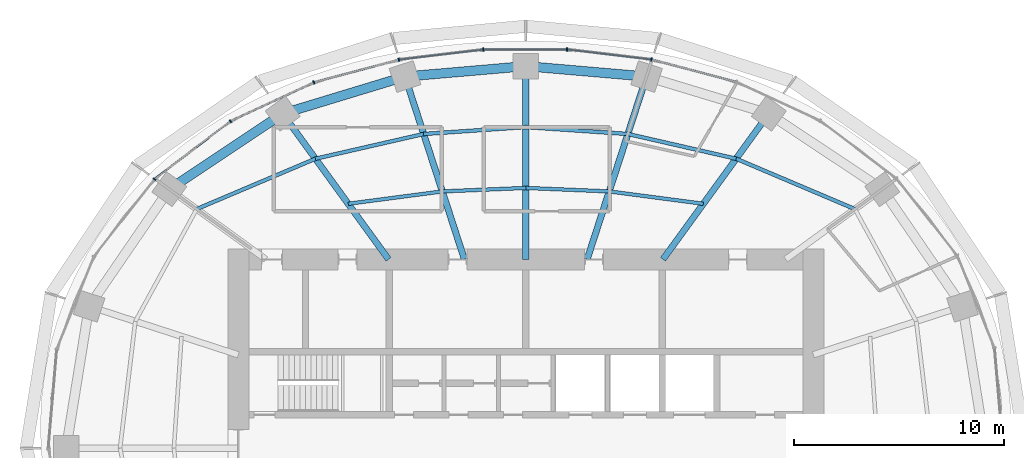
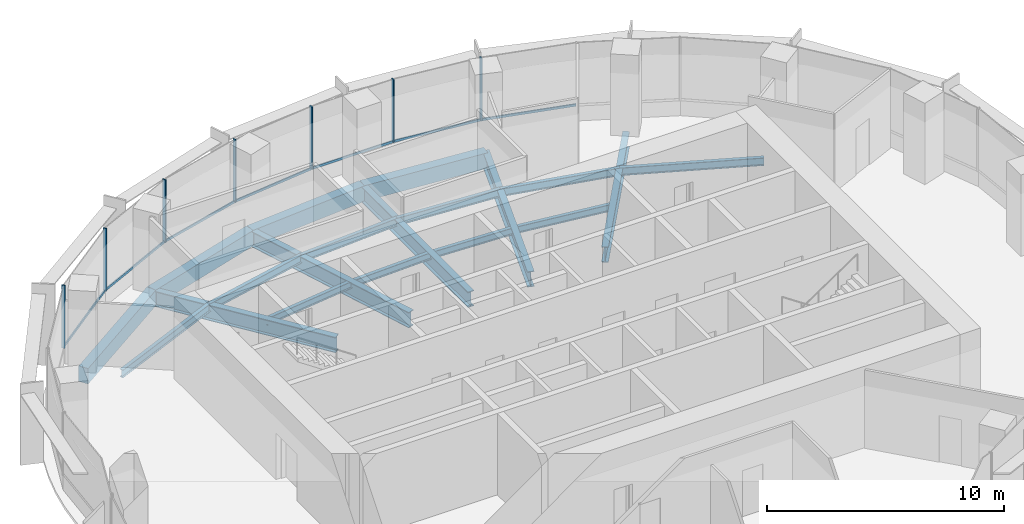
# One storey, part 6 of 13: 19 beams, 14 members, 2 elements without a shape of their own.
"""IFC4 building model written with IfcOpenShell, lengths in metres."""

from ifc_helpers import new_model, si_unit, direction, frame, origin, origin_2d, place, context, subcontext, project, spatial, rectangle, i_section, extrude, material, material_profile, profile_set, type_object, element, aggregate, save


model = new_model("IFC4")

# Units and contexts
model_context = context("Model", 3, precision=1e-05, world=origin(), true_north=direction((0.0, 1.0)))
body_context = subcontext(model_context, "Body", "Model", "MODEL_VIEW")
ifc_project = project(units=[si_unit("LENGTHUNIT", "METRE"), si_unit("AREAUNIT", "SQUARE_METRE"), si_unit("VOLUMEUNIT", "CUBIC_METRE"), si_unit("PLANEANGLEUNIT", "RADIAN"), si_unit("MASSUNIT", "GRAM", prefix="KILO")], contexts=[model_context])

# Site, building, storey
site_placement = place(None, origin())
site = spatial("IfcSite", under=ifc_project, at=site_placement, CompositionType="ELEMENT")
building_placement = place(site_placement, origin())
building = spatial("IfcBuilding", under=site, at=building_placement, Name="Marramba Exchange Tower", CompositionType="ELEMENT")
storey_placement = place(building_placement, frame((0.0, 0.0, 268.60009765625)))
storey = spatial("IfcBuildingStorey", under=building, at=storey_placement, Name="L65", CompositionType="ELEMENT", Elevation=268.60009765625)

# Curtain wall, members
ifc_material_1 = material(Name="Aluminium framing, bronze anodised", Category="aluminium")
curtain_wall_type = type_object("IfcCurtainWallType", Name="Executive floor ribbon curtain wall", PredefinedType="USERDEFINED", material=ifc_material_1)
curtain_wall_1_placement = place(storey_placement, origin())
curtain_wall_1 = element("IfcCurtainWall", 1, at=curtain_wall_1_placement, inside=storey, type_object=curtain_wall_type, Name="Curtain wall CW5 L65 F06-F10", ObjectType="RIBBON CURTAIN WALL", PredefinedType="USERDEFINED")
ifc_material_2 = material(Name="Aluminium mullion, bronze anodised", Category="aluminium")
ifc_material_profile_1 = material_profile(ifc_material_2, rectangle(XDim=0.159912109375, YDim=0.06005859375, at=origin_2d()), Name="CW5 mullion 60x160")
ifc_profile_set_1 = profile_set([ifc_material_profile_1], Name="Aluminium mullion, bronze anodised")
member_type_1 = type_object("IfcMemberType", Name="Executive floor ribbon curtain wall mullion", PredefinedType="MULLION", material=ifc_profile_set_1)
member_1_placement = place(storey_placement, frame((5.98681640625, 18.5205078125, 0.7998046875), z_axis=(0.0, 0.0, 1.0), x_axis=(-0.118556954505, -0.992947253654, 0.0)))
member_1 = element("IfcMember", 2, at=member_1_placement, type_object=member_type_1, Name="CW5 mullion 1", PredefinedType="MULLION", context=body_context, shape_type="SweptSolid", body=[
    extrude(rectangle(XDim=0.159912109375, YDim=0.06005859375, at=origin_2d()), origin(), (0.0, 0.0, 1.0), 3.239990234375),
])
member_2_placement = place(storey_placement, frame((1.966552734375, 18.9970703125, 0.7998046875), z_axis=(0.0, 0.0, 1.0), x_axis=(0.0, -1.0, 0.0)))
member_2 = element("IfcMember", 3, at=member_2_placement, type_object=member_type_1, Name="CW5 mullion 1", PredefinedType="MULLION", context=body_context, shape_type="SweptSolid", body=[
    extrude(rectangle(XDim=0.159912109375, YDim=0.06005859375, at=origin_2d()), origin(), (0.0, 0.0, 1.0), 3.239990234375),
])
member_3_placement = place(storey_placement, frame((-2.0263671875, 18.993408203125, 0.7998046875), z_axis=(0.0, 0.0, 1.0), x_axis=(0.118556954505, -0.992947253654, 0.0)))
member_3 = element("IfcMember", 4, at=member_3_placement, type_object=member_type_1, Name="CW5 mullion 1", PredefinedType="MULLION", context=body_context, shape_type="SweptSolid", body=[
    extrude(rectangle(XDim=0.159912109375, YDim=0.06005859375, at=origin_2d()), origin(), (0.0, 0.0, 1.0), 3.239990234375),
])
member_4_placement = place(storey_placement, frame((-6.045654296875, 18.50927734375, 0.7998046875), z_axis=(0.0, 0.0, 1.0), x_axis=(0.256125574813, -0.966643517501, 0.0)))
member_4 = element("IfcMember", 5, at=member_4_placement, type_object=member_type_1, Name="CW5 mullion 1", PredefinedType="MULLION", context=body_context, shape_type="SweptSolid", body=[
    extrude(rectangle(XDim=0.159912109375, YDim=0.06005859375, at=origin_2d()), origin(), (0.0, 0.0, 1.0), 3.239990234375),
])

curtain_wall_2_placement = place(storey_placement, origin())
curtain_wall_2 = element("IfcCurtainWall", 6, at=curtain_wall_2_placement, inside=storey, type_object=curtain_wall_type, Name="Curtain wall CW5 L65 F11-F15", ObjectType="RIBBON CURTAIN WALL", PredefinedType="USERDEFINED")
member_5_placement = place(storey_placement, frame((-10.097900390625, 17.43017578125, 0.7998046875), z_axis=(0.0, 0.0, 1.0), x_axis=(0.420849274712, -0.90713057934, 0.0)))
member_5 = element("IfcMember", 7, at=member_5_placement, type_object=member_type_1, Name="CW5 mullion 1", PredefinedType="MULLION", context=body_context, shape_type="SweptSolid", body=[
    extrude(rectangle(XDim=0.159912109375, YDim=0.06005859375, at=origin_2d()), origin(), (0.0, 0.0, 1.0), 3.239990234375),
])
member_6_placement = place(storey_placement, frame((-14.069091796875, 15.58056640625, 0.7998046875), z_axis=(0.0, 0.0, 1.0), x_axis=(0.605219156516, -0.796058900199, 0.0)))
member_6 = element("IfcMember", 8, at=member_6_placement, type_object=member_type_1, Name="CW5 mullion 1", PredefinedType="MULLION", context=body_context, shape_type="SweptSolid", body=[
    extrude(rectangle(XDim=0.159912109375, YDim=0.06005859375, at=origin_2d()), origin(), (0.0, 0.0, 1.0), 3.239990234375),
])
member_7_placement = place(storey_placement, frame((-17.69189453125, 12.81689453125, 0.7998046875), z_axis=(0.0, 0.0, 1.0), x_axis=(0.786002861604, -0.618222857512, 0.0)))
member_7 = element("IfcMember", 9, at=member_7_placement, type_object=member_type_1, Name="CW5 mullion 1", PredefinedType="MULLION", context=body_context, shape_type="SweptSolid", body=[
    extrude(rectangle(XDim=0.159912109375, YDim=0.06005859375, at=origin_2d()), origin(), (0.0, 0.0, 1.0), 3.239990234375),
])

# Member
ifc_material_3 = material(Name="Aluminium transom, bronze anodised", Category="aluminium")
ifc_material_profile_2 = material_profile(ifc_material_3, rectangle(XDim=0.06005859375, YDim=0.1201171875, at=origin_2d()), Name="CW5 transom 60x120")
ifc_profile_set_2 = profile_set([ifc_material_profile_2], Name="Aluminium transom, bronze anodised")
member_type_2 = type_object("IfcMemberType", Name="Executive floor ribbon curtain wall transom", PredefinedType="USERDEFINED", material=ifc_profile_set_2)
member_8_placement = place(storey_placement, frame((10.0126953125, 17.458251953125, 0.829833984375), z_axis=(-0.966642465832, 0.256129543885, 0.0), x_axis=(-0.256129543885, -0.966642465832, 0.0)))
member_8 = element("IfcMember", 10, at=member_8_placement, type_object=member_type_2, Name="CW5 sill transom", ObjectType="TRANSOM", PredefinedType="USERDEFINED", context=body_context, shape_type="SweptSolid", body=[
    extrude(rectangle(XDim=0.06005859375, YDim=0.1201171875, at=origin_2d()), origin(), (0.0, 0.0, 1.0), 4.134033203125),
])

member_9_placement = place(storey_placement, frame((5.95703125, 18.524169921875, 0.829833984375), z_axis=(-0.992946470513, 0.118563513339, 0.0), x_axis=(-0.118563513339, -0.992946470513, 0.0)))
member_9 = element("IfcMember", 11, at=member_9_placement, type_object=member_type_2, Name="CW5 sill transom", ObjectType="TRANSOM", PredefinedType="USERDEFINED", context=body_context, shape_type="SweptSolid", body=[
    extrude(rectangle(XDim=0.06005859375, YDim=0.1201171875, at=origin_2d()), origin(), (0.0, 0.0, 1.0), 3.988525390625),
])

member_10_placement = place(storey_placement, frame((1.936767578125, 18.9970703125, 0.829833984375), z_axis=(-1.0, 0.0, 0.0), x_axis=(0.0, -1.0, 0.0)))
member_10 = element("IfcMember", 12, at=member_10_placement, type_object=member_type_2, Name="CW5 sill transom", ObjectType="TRANSOM", PredefinedType="USERDEFINED", context=body_context, shape_type="SweptSolid", body=[
    extrude(rectangle(XDim=0.06005859375, YDim=0.1201171875, at=origin_2d()), origin(), (0.0, 0.0, 1.0), 3.933349609375),
])

member_11_placement = place(storey_placement, frame((-2.05615234375, 18.98974609375, 0.829833984375), z_axis=(-0.992953674799, -0.11850316326, 0.0), x_axis=(0.11850316326, -0.992953674799, 0.0)))
member_11 = element("IfcMember", 13, at=member_11_placement, type_object=member_type_2, Name="CW5 sill transom", ObjectType="TRANSOM", PredefinedType="USERDEFINED", context=body_context, shape_type="SweptSolid", body=[
    extrude(rectangle(XDim=0.06005859375, YDim=0.1201171875, at=origin_2d()), origin(), (0.0, 0.0, 1.0), 3.988525390625),
])

member_12_placement = place(storey_placement, frame((-6.074462890625, 18.501708984375, 0.829833984375), z_axis=(-0.966642465832, -0.256129543885, 0.0), x_axis=(0.256129543885, -0.966642465832, 0.0)))
member_12 = element("IfcMember", 14, at=member_12_placement, type_object=member_type_2, Name="CW5 sill transom", ObjectType="TRANSOM", PredefinedType="USERDEFINED", context=body_context, shape_type="SweptSolid", body=[
    extrude(rectangle(XDim=0.06005859375, YDim=0.1201171875, at=origin_2d()), origin(), (0.0, 0.0, 1.0), 4.134033203125),
])

aggregate(curtain_wall_1, [member_8, member_1, member_9, member_2, member_10, member_3, member_11, member_4, member_12])

member_13_placement = place(storey_placement, frame((-10.125, 17.41748046875, 0.829833984375), z_axis=(-0.907139165053, -0.420830767919, 0.0), x_axis=(0.420830767919, -0.907139165053, 0.0)))
member_13 = element("IfcMember", 15, at=member_13_placement, type_object=member_type_2, Name="CW5 sill transom", ObjectType="TRANSOM", PredefinedType="USERDEFINED", context=body_context, shape_type="SweptSolid", body=[
    extrude(rectangle(XDim=0.06005859375, YDim=0.1201171875, at=origin_2d()), origin(), (0.0, 0.0, 1.0), 4.321533203125),
])

member_14_placement = place(storey_placement, frame((-14.093017578125, 15.5625, 0.829833984375), z_axis=(-0.796068041642, -0.605207132374, 0.0), x_axis=(0.605207132374, -0.796068041642, 0.0)))
member_14 = element("IfcMember", 16, at=member_14_placement, type_object=member_type_2, Name="CW5 sill transom", ObjectType="TRANSOM", PredefinedType="USERDEFINED", context=body_context, shape_type="SweptSolid", body=[
    extrude(rectangle(XDim=0.06005859375, YDim=0.1201171875, at=origin_2d()), origin(), (0.0, 0.0, 1.0), 4.49755859375),
])

aggregate(curtain_wall_2, [member_5, member_13, member_6, member_14, member_7])

# Beams
ifc_material_4 = material(Name="Steel AS/NZS 3679.1 grade 300", Category="steel")
ifc_material_profile_3 = material_profile(ifc_material_4, i_section(OverallWidth=0.1708984375, OverallDepth=0.35595703125, WebThickness=0.00732421875, FlangeThickness=0.011474609375, FilletRadius=0.011474609375, at=origin_2d()), Name="360UB50.7")
ifc_profile_set_3 = profile_set([ifc_material_profile_3], Name="Steel AS/NZS 3679.1 grade 300")
beam_type_1 = type_object("IfcBeamType", Name="Floor joist 360UB50.7", PredefinedType="JOIST", material=ifc_profile_set_3)
beam_1_placement = place(storey_placement, frame((8.4619140625, 11.646728515625, -0.338134765625), z_axis=(-0.991480538255, 0.130254912618, 0.0), x_axis=(-0.130254912618, -0.991480538255, 0.0)))
element("IfcBeam", 17, at=beam_1_placement, inside=storey, type_object=beam_type_1, Name="Joist L65 bay 04 row 1", PredefinedType="JOIST", context=body_context, shape_type="SweptSolid", body=[
    extrude(i_section(OverallWidth=0.1708984375, OverallDepth=0.35595703125, WebThickness=0.00732421875, FlangeThickness=0.011474609375, FilletRadius=0.011474609375, at=origin_2d()), origin(), (0.0, 0.0, 1.0), 4.524658203125),
])
for number, where, z_axis, x_axis, name in (
    (18, (3.975830078125, 12.236083984375, -0.338134765625), (-0.999137002892, 0.041536122257, 0.0), (-0.041536122257, -0.999137002892, 0.0), "Joist L65 bay 05 row 1"),
    (19, (0.0, 12.4013671875, -0.338134765625), (-0.999137002892, -0.041536122257, 0.0), (0.041536122257, -0.999137002892, 0.0), "Joist L65 bay 06 row 1"),
):
    element("IfcBeam", number, at=place(storey_placement, frame(where, z_axis=z_axis, x_axis=x_axis)), inside=storey, type_object=beam_type_1, Name=name, PredefinedType="JOIST", context=body_context, shape_type="SweptSolid", body=[
        extrude(i_section(OverallWidth=0.1708984375, OverallDepth=0.35595703125, WebThickness=0.00732421875, FlangeThickness=0.011474609375, FilletRadius=0.011474609375, at=origin_2d()), origin(), (0.0, 0.0, 1.0), 3.979248046875),
    ])
beam_2_placement = place(storey_placement, frame((-3.975830078125, 12.236083984375, -0.338134765625), z_axis=(-0.991480538255, -0.130254912618, 0.0), x_axis=(0.130254912618, -0.991480538255, 0.0)))
element("IfcBeam", 20, at=beam_2_placement, inside=storey, type_object=beam_type_1, Name="Joist L65 bay 07 row 1", PredefinedType="JOIST", context=body_context, shape_type="SweptSolid", body=[
    extrude(i_section(OverallWidth=0.1708984375, OverallDepth=0.35595703125, WebThickness=0.00732421875, FlangeThickness=0.011474609375, FilletRadius=0.011474609375, at=origin_2d()), origin(), (0.0, 0.0, 1.0), 4.524658203125),
])
ifc_material_profile_4 = material_profile(ifc_material_4, i_section(OverallWidth=0.177978515625, OverallDepth=0.403076171875, WebThickness=0.007568359375, FlangeThickness=0.010986328125, FilletRadius=0.011474609375, at=origin_2d()), Name="410UB53.7")
ifc_profile_set_4 = profile_set([ifc_material_profile_4], Name="Steel AS/NZS 3679.1 grade 300")
beam_type_2 = type_object("IfcBeamType", Name="Floor joist 410UB53.7", PredefinedType="JOIST", material=ifc_profile_set_4)
beam_3_placement = place(storey_placement, frame((15.682373046875, 11.393798828125, -0.361572265625), z_axis=(-0.920674336375, 0.390331610738, 0.0), x_axis=(-0.390331610738, -0.920674336375, 0.0)))
element("IfcBeam", 21, at=beam_3_placement, inside=storey, type_object=beam_type_2, Name="Joist L65 bay 03 row 2", PredefinedType="JOIST", context=body_context, shape_type="SweptSolid", body=[
    extrude(i_section(OverallWidth=0.177978515625, OverallDepth=0.403076171875, WebThickness=0.007568359375, FlangeThickness=0.010986328125, FilletRadius=0.011474609375, at=origin_2d()), origin(), (0.0, 0.0, 1.0), 6.1484375),
])
beam_4_placement = place(storey_placement, frame((10.021728515625, 13.793701171875, -0.361572265625), z_axis=(-0.974859652292, 0.222819788916, 0.0), x_axis=(-0.222819788916, -0.974859652292, 0.0)))
element("IfcBeam", 22, at=beam_4_placement, inside=storey, type_object=beam_type_2, Name="Joist L65 bay 04 row 2", PredefinedType="JOIST", context=body_context, shape_type="SweptSolid", body=[
    extrude(i_section(OverallWidth=0.177978515625, OverallDepth=0.403076171875, WebThickness=0.007568359375, FlangeThickness=0.010986328125, FilletRadius=0.011474609375, at=origin_2d()), origin(), (0.0, 0.0, 1.0), 5.2900390625),
])
for number, where, z_axis, x_axis, name in (
    (23, (4.86474609375, 14.972412109375, -0.361572265625), (-0.997702652202, 0.067745241816, 0.0), (-0.067745241816, -0.997702652202, 0.0), "Joist L65 bay 05 row 2"),
    (24, (0.0, 15.302734375, -0.361572265625), (-0.997702652202, -0.067745241816, 0.0), (0.067745241816, -0.997702652202, 0.0), "Joist L65 bay 06 row 2"),
):
    element("IfcBeam", number, at=place(storey_placement, frame(where, z_axis=z_axis, x_axis=x_axis)), inside=storey, type_object=beam_type_2, Name=name, PredefinedType="JOIST", context=body_context, shape_type="SweptSolid", body=[
        extrude(i_section(OverallWidth=0.177978515625, OverallDepth=0.403076171875, WebThickness=0.007568359375, FlangeThickness=0.010986328125, FilletRadius=0.011474609375, at=origin_2d()), origin(), (0.0, 0.0, 1.0), 4.8759765625),
    ])
beam_5_placement = place(storey_placement, frame((-4.86474609375, 14.972412109375, -0.361572265625), z_axis=(-0.974859652292, -0.222819788916, 0.0), x_axis=(0.222819788916, -0.974859652292, 0.0)))
element("IfcBeam", 25, at=beam_5_placement, inside=storey, type_object=beam_type_2, Name="Joist L65 bay 07 row 2", PredefinedType="JOIST", context=body_context, shape_type="SweptSolid", body=[
    extrude(i_section(OverallWidth=0.177978515625, OverallDepth=0.403076171875, WebThickness=0.007568359375, FlangeThickness=0.010986328125, FilletRadius=0.011474609375, at=origin_2d()), origin(), (0.0, 0.0, 1.0), 5.2900390625),
])
beam_6_placement = place(storey_placement, frame((-10.021728515625, 13.793701171875, -0.361572265625), z_axis=(-0.920674336375, -0.390331610738, 0.0), x_axis=(0.390331610738, -0.920674336375, 0.0)))
element("IfcBeam", 26, at=beam_6_placement, inside=storey, type_object=beam_type_2, Name="Joist L65 bay 08 row 2", PredefinedType="JOIST", context=body_context, shape_type="SweptSolid", body=[
    extrude(i_section(OverallWidth=0.177978515625, OverallDepth=0.403076171875, WebThickness=0.007568359375, FlangeThickness=0.010986328125, FilletRadius=0.011474609375, at=origin_2d()), origin(), (0.0, 0.0, 1.0), 6.1484375),
])
ifc_material_5 = material(Name="Steel AS/NZS 3679.2 grade 300", Category="steel")
ifc_material_profile_5 = material_profile(ifc_material_5, i_section(OverallWidth=0.300048828125, OverallDepth=0.800048828125, WebThickness=0.013916015625, FlangeThickness=0.031982421875, at=origin_2d()), Name="800WB192")
ifc_profile_set_5 = profile_set([ifc_material_profile_5], Name="Steel AS/NZS 3679.2 grade 300")
beam_type_3 = type_object("IfcBeamType", Name="Radial girder 800WB192", PredefinedType="BEAM", material=ifc_profile_set_5)
beam_7_placement = place(storey_placement, frame((6.538818359375, 9.0, -0.56005859375), z_axis=(0.587782439969, 0.80901903764, 0.0), x_axis=(-0.80901903764, 0.587782439969, 0.0)))
element("IfcBeam", 27, at=beam_7_placement, inside=storey, type_object=beam_type_3, Name="Radial girder L65 TC04", PredefinedType="BEAM", context=body_context, shape_type="SweptSolid", body=[
    extrude(i_section(OverallWidth=0.300048828125, OverallDepth=0.800048828125, WebThickness=0.013916015625, FlangeThickness=0.031982421875, at=origin_2d()), origin(), (0.0, 0.0, 1.0), 8.578857421875),
])
beam_8_placement = place(storey_placement, frame((2.92431640625, 9.0, -0.56005859375), z_axis=(0.309019754162, 0.951055619582, 0.0), x_axis=(-0.951055619582, 0.309019754162, 0.0)))
element("IfcBeam", 28, at=beam_8_placement, inside=storey, type_object=beam_type_3, Name="Radial girder L65 TC05", PredefinedType="BEAM", context=body_context, shape_type="SweptSolid", body=[
    extrude(i_section(OverallWidth=0.300048828125, OverallDepth=0.800048828125, WebThickness=0.013916015625, FlangeThickness=0.031982421875, at=origin_2d()), origin(), (0.0, 0.0, 1.0), 9.15673828125),
])
beam_9_placement = place(storey_placement, frame((0.0, 9.0, -0.56005859375), z_axis=(0.0, 1.0, 0.0), x_axis=(-1.0, 0.0, 0.0)))
element("IfcBeam", 29, at=beam_9_placement, inside=storey, type_object=beam_type_3, Name="Radial girder L65 TC06", PredefinedType="BEAM", context=body_context, shape_type="SweptSolid", body=[
    extrude(i_section(OverallWidth=0.300048828125, OverallDepth=0.800048828125, WebThickness=0.013916015625, FlangeThickness=0.031982421875, at=origin_2d()), origin(), (0.0, 0.0, 1.0), 9.2041015625),
])
beam_10_placement = place(storey_placement, frame((-2.92431640625, 9.0, -0.56005859375), z_axis=(-0.309019754162, 0.951055619582, 0.0), x_axis=(-0.951055619582, -0.309019754162, 0.0)))
element("IfcBeam", 30, at=beam_10_placement, inside=storey, type_object=beam_type_3, Name="Radial girder L65 TC07", PredefinedType="BEAM", context=body_context, shape_type="SweptSolid", body=[
    extrude(i_section(OverallWidth=0.300048828125, OverallDepth=0.800048828125, WebThickness=0.013916015625, FlangeThickness=0.031982421875, at=origin_2d()), origin(), (0.0, 0.0, 1.0), 9.15673828125),
])
beam_11_placement = place(storey_placement, frame((-6.538818359375, 9.0, -0.56005859375), z_axis=(-0.587782439969, 0.80901903764, 0.0), x_axis=(-0.80901903764, -0.587782439969, 0.0)))
element("IfcBeam", 31, at=beam_11_placement, inside=storey, type_object=beam_type_3, Name="Radial girder L65 TC08", PredefinedType="BEAM", context=body_context, shape_type="SweptSolid", body=[
    extrude(i_section(OverallWidth=0.300048828125, OverallDepth=0.800048828125, WebThickness=0.013916015625, FlangeThickness=0.031982421875, at=origin_2d()), origin(), (0.0, 0.0, 1.0), 8.578857421875),
])
ifc_material_6 = material(Name="Concrete N50", Category="concrete")
ifc_material_profile_6 = material_profile(ifc_material_6, rectangle(XDim=0.449951171875, YDim=0.800048828125, at=origin_2d()), Name="RC 450x800")
ifc_profile_set_6 = profile_set([ifc_material_profile_6], Name="Concrete N50")
beam_type_4 = type_object("IfcBeamType", Name="Ring beam RC 450x800 N50", PredefinedType="SPANDREL", material=ifc_profile_set_6)
for number, where, z_axis, x_axis, name in (
    (32, (5.75390625, 17.70849609375, -0.56005859375), (-0.996311003275, 0.085815993578, 0.0), (-0.085815993578, -0.996311003275, 0.0), "Ring beam L65 TC05-TC06"),
    (33, (0.0, 18.2041015625, -0.56005859375), (-0.996311003275, -0.085815993578, 0.0), (0.085815993578, -0.996311003275, 0.0), "Ring beam L65 TC06-TC07"),
):
    element("IfcBeam", number, at=place(storey_placement, frame(where, z_axis=z_axis, x_axis=x_axis)), inside=storey, type_object=beam_type_4, Name=name, PredefinedType="SPANDREL", context=body_context, shape_type="SweptSolid", body=[
        extrude(rectangle(XDim=0.449951171875, YDim=0.800048828125, at=origin_2d()), origin(), (0.0, 0.0, 1.0), 5.775146484375),
    ])
beam_12_placement = place(storey_placement, frame((-5.75390625, 17.70849609375, -0.56005859375), z_axis=(-0.956924542524, -0.290336735387, 0.0), x_axis=(0.290336735387, -0.956924542524, 0.0)))
element("IfcBeam", 34, at=beam_12_placement, inside=storey, type_object=beam_type_4, Name="Ring beam L65 TC07-TC08", PredefinedType="SPANDREL", context=body_context, shape_type="SweptSolid", body=[
    extrude(rectangle(XDim=0.449951171875, YDim=0.800048828125, at=origin_2d()), origin(), (0.0, 0.0, 1.0), 6.089599609375),
])
beam_13_placement = place(storey_placement, frame((-11.581298828125, 15.9404296875, -0.56005859375), z_axis=(-0.832293151443, -0.554335737673, 0.0), x_axis=(0.554335737673, -0.832293151443, 0.0)))
element("IfcBeam", 35, at=beam_13_placement, inside=storey, type_object=beam_type_4, Name="Ring beam L65 TC08-TC09", PredefinedType="SPANDREL", context=body_context, shape_type="SweptSolid", body=[
    extrude(rectangle(XDim=0.449951171875, YDim=0.800048828125, at=origin_2d()), origin(), (0.0, 0.0, 1.0), 6.49365234375),
])

save(model, "model.ifc")
